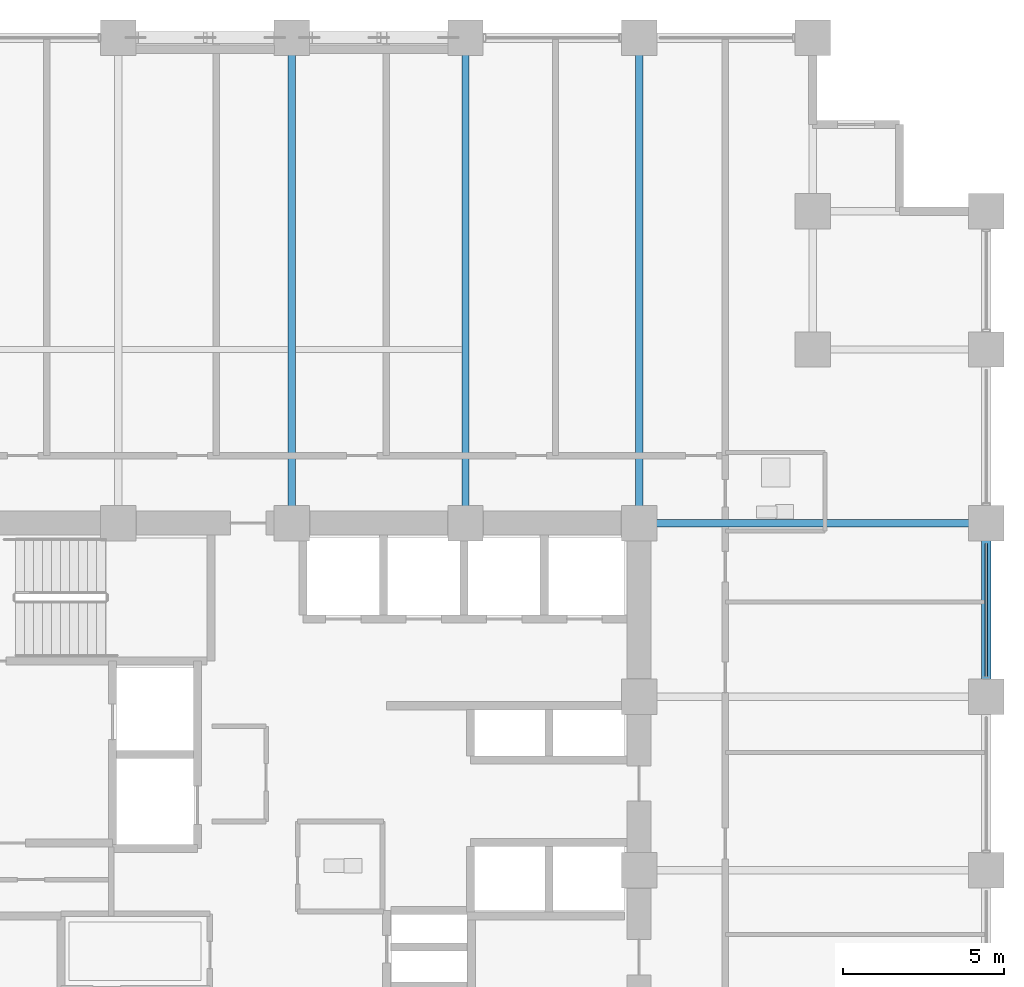
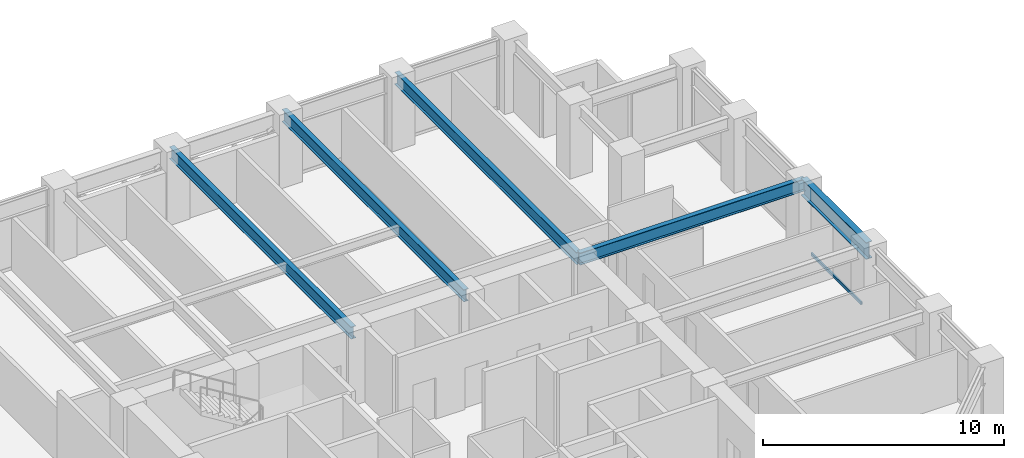
# One storey, part 14 of 25: 5 beams, 1 member, 1 element without a shape of its own.
"""IFC4 building model written with IfcOpenShell, lengths in metres."""

from ifc_helpers import new_model, si_unit, direction, frame, origin, origin_2d, place, context, subcontext, project, spatial, hollow_rectangle, i_section, extrude, material, layer, layer_set, material_profile, profile_set, type_object, element, aggregate, save


model = new_model("IFC4")

# Units and contexts
model_context = context("Model", 3, precision=1e-05, world=origin(), true_north=direction((0.0, 1.0)))
body_context = subcontext(model_context, "Body", "Model", "MODEL_VIEW")
ifc_project = project(units=[si_unit("LENGTHUNIT", "METRE"), si_unit("AREAUNIT", "SQUARE_METRE"), si_unit("VOLUMEUNIT", "CUBIC_METRE"), si_unit("PLANEANGLEUNIT", "RADIAN"), si_unit("MASSUNIT", "GRAM", prefix="KILO")], contexts=[model_context])

# Site, building, storey
site_placement = place(None, origin())
site = spatial("IfcSite", under=ifc_project, at=site_placement, CompositionType="ELEMENT")
building_placement = place(site_placement, origin())
building = spatial("IfcBuilding", under=site, at=building_placement, Name="Surkhivell Harbour Commons", CompositionType="ELEMENT")
storey_placement = place(building_placement, frame((0.0, 0.0, 120.75)))
storey = spatial("IfcBuildingStorey", under=building, at=storey_placement, Name="L31", CompositionType="ELEMENT", Elevation=120.75)

# Beams
ifc_material_1 = material(Name="Steel S355", Category="steel")
ifc_material_profile_1 = material_profile(ifc_material_1, i_section(OverallWidth=0.22998046875, OverallDepth=0.616943359375, WebThickness=0.01318359375, FlangeThickness=0.022216796875, at=origin_2d()), Name="UB610x229x140")
ifc_profile_set_1 = profile_set([ifc_material_profile_1], Name="Steel S355")
beam_type_1 = type_object("IfcBeamType", Name="BM-GRD-610B", PredefinedType="BEAM", material=ifc_profile_set_1)
for number, where, z_axis, x_axis, name in (
    (1, (0.0, 10.800048828125, 3.261474609375), (0.0, 1.0, 0.0), (-1.0, 0.0, 0.0), "L31 Floor Girder (0.0,10.8)"),
    (2, (5.39990234375, 10.800048828125, 3.261474609375), (0.0, 1.0, 0.0), (-1.0, 0.0, 0.0), "L31 Floor Girder (5.4,10.8)"),
    (3, (10.800048828125, 10.800048828125, 3.261474609375), (0.0, 1.0, 0.0), (-1.0, 0.0, 0.0), "L31 Floor Girder (10.8,10.8)"),
):
    element("IfcBeam", number, at=place(storey_placement, frame(where, z_axis=z_axis, x_axis=x_axis)), inside=storey, type_object=beam_type_1, Name=name, PredefinedType="BEAM", context=body_context, shape_type="SweptSolid", body=[
        extrude(i_section(OverallWidth=0.22998046875, OverallDepth=0.616943359375, WebThickness=0.01318359375, FlangeThickness=0.022216796875, at=origin_2d()), origin(), (0.0, 0.0, 1.0), 15.099853515625),
    ])
beam_1_placement = place(storey_placement, frame((10.800048828125, 10.800048828125, 3.261474609375), z_axis=(1.0, 0.0, 0.0), x_axis=(0.0, 1.0, 0.0)))
element("IfcBeam", 4, at=beam_1_placement, inside=storey, type_object=beam_type_1, Name="L31 Floor Girder (10.8,10.8)", PredefinedType="BEAM", context=body_context, shape_type="SweptSolid", body=[
    extrude(i_section(OverallWidth=0.22998046875, OverallDepth=0.616943359375, WebThickness=0.01318359375, FlangeThickness=0.022216796875, at=origin_2d()), origin(), (0.0, 0.0, 1.0), 10.800048828125),
])
ifc_material_2 = material(Name="Steel S460", Category="steel")
ifc_material_profile_2 = material_profile(ifc_material_2, i_section(OverallWidth=0.2939453125, OverallDepth=0.85107421875, WebThickness=0.01611328125, FlangeThickness=0.02685546875, at=origin_2d()), Name="UB838x292x226")
ifc_profile_set_2 = profile_set([ifc_material_profile_2], Name="Steel S460")
beam_type_2 = type_object("IfcBeamType", Name="BM-SPN-838", PredefinedType="SPANDREL", material=ifc_profile_set_2)
beam_2_placement = place(storey_placement, frame((21.60009765625, 5.39990234375, 3.14453125), z_axis=(0.0, 1.0, 0.0), x_axis=(-1.0, 0.0, 0.0)))
element("IfcBeam", 5, at=beam_2_placement, inside=storey, type_object=beam_type_2, Name="L31 Tube Spandrel (21.6,5.4)", PredefinedType="SPANDREL", context=body_context, shape_type="SweptSolid", body=[
    extrude(i_section(OverallWidth=0.2939453125, OverallDepth=0.85107421875, WebThickness=0.01611328125, FlangeThickness=0.02685546875, at=origin_2d()), origin(), (0.0, 0.0, 1.0), 5.400146484375),
])

# Curtain wall, member
ifc_material_3 = material(Name="Anodised pale-metal aluminium and insulated glazing", Category="aluminium")
ifc_layer = layer(ifc_material_3, 0.205078125)
ifc_layer_set = layer_set([ifc_layer], Name="Anodised pale-metal aluminium and insulated glazing")
curtain_wall_type = type_object("IfcCurtainWallType", Name="CW-SYS-Z2", PredefinedType="NOTDEFINED", material=ifc_layer_set)
curtain_wall_placement = place(storey_placement, origin())
curtain_wall = element("IfcCurtainWall", 6, at=curtain_wall_placement, inside=storey, type_object=curtain_wall_type, Name="L31 Curtain Wall CW-L31-E02", PredefinedType="NOTDEFINED")
ifc_material_4 = material(Name="Anodised pale-metal aluminium alloy 6063-T6", Category="aluminium")
ifc_material_profile_3 = material_profile(ifc_material_4, hollow_rectangle(XDim=0.074951171875, YDim=0.14990234375, WallThickness=0.00341796875, at=origin_2d()), Name="ALU-TRAN-75x150")
ifc_profile_set_3 = profile_set([ifc_material_profile_3], Name="Anodised pale-metal aluminium alloy 6063-T6")
member_type = type_object("IfcMemberType", Name="CWT-150", PredefinedType="USERDEFINED", material=ifc_profile_set_3)
member_placement = place(storey_placement, frame((21.60009765625, 6.027099609375, 0.074951171875), z_axis=(0.0, 1.0, 0.0), x_axis=(-1.0, 0.0, 0.0)))
member = element("IfcMember", 7, at=member_placement, type_object=member_type, Name="CW-Z2 transom 3.1", ObjectType="TRANSOM", PredefinedType="USERDEFINED", context=body_context, shape_type="SweptSolid", body=[
    extrude(hollow_rectangle(XDim=0.074951171875, YDim=0.14990234375, WallThickness=0.00341796875, at=origin_2d()), origin(), (0.0, 0.0, 1.0), 4.14599609375),
])
aggregate(curtain_wall, [member])

save(model, "model.ifc")
